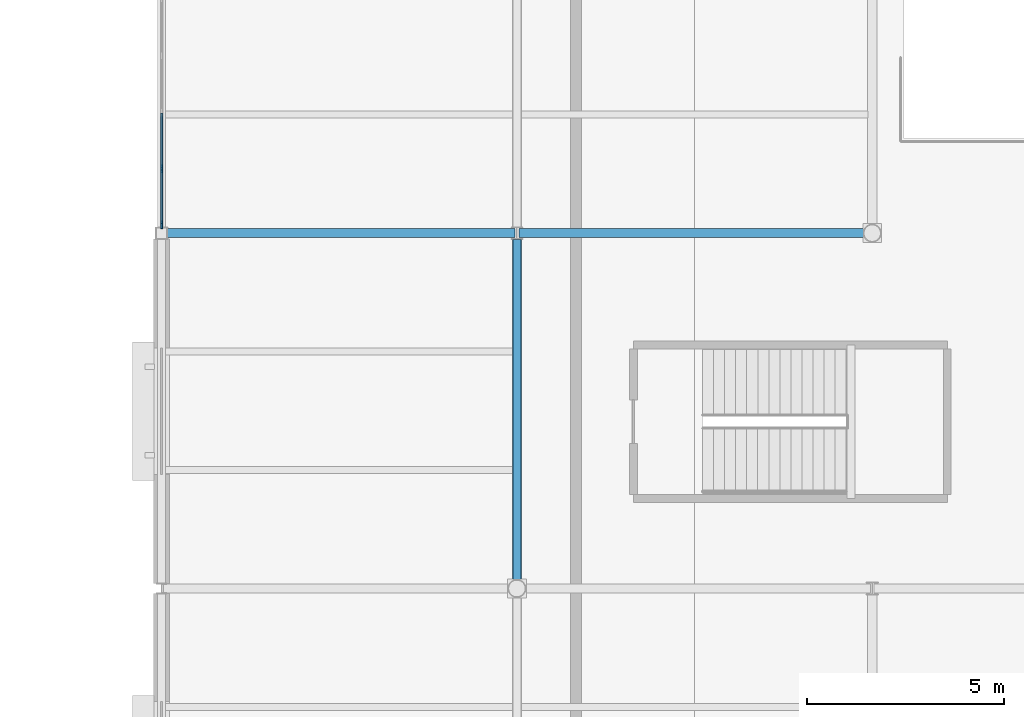
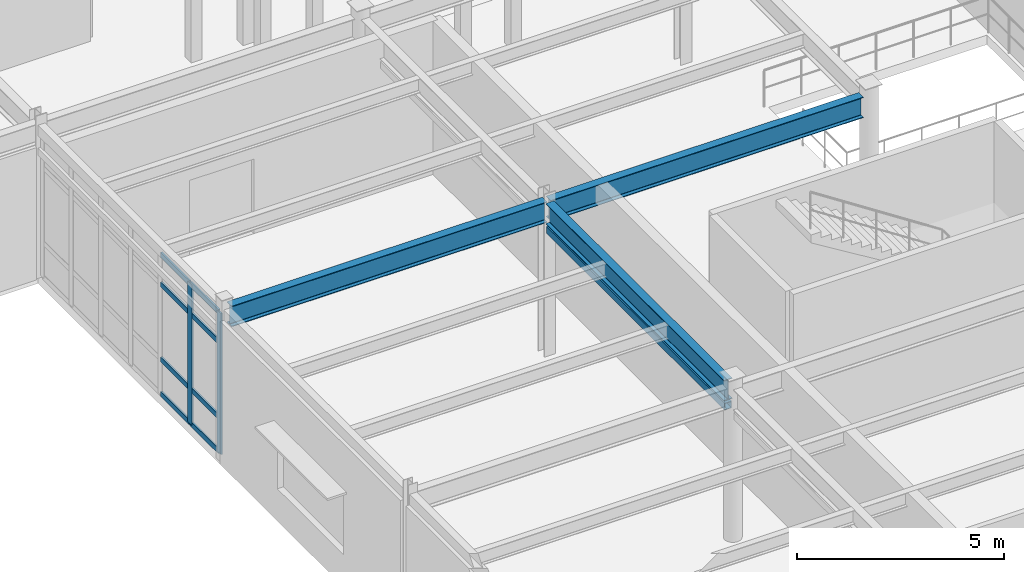
# One storey, part 31 of 86: 10 members, 4 beams, 1 element without a shape of its own.
"""IFC4 building model written with IfcOpenShell, lengths in metres."""

from ifc_helpers import new_model, si_unit, direction, frame, origin, origin_2d, place, context, subcontext, project, spatial, rectangle, hollow_rectangle, i_section, extrude, material, material_profile, profile_set, type_object, element, aggregate, save


model = new_model("IFC4")

# Units and contexts
model_context = context("Model", 3, precision=1e-05, world=origin(), true_north=direction((0.0, 1.0)))
body_context = subcontext(model_context, "Body", "Model", "MODEL_VIEW")
ifc_project = project(units=[si_unit("LENGTHUNIT", "METRE"), si_unit("AREAUNIT", "SQUARE_METRE"), si_unit("VOLUMEUNIT", "CUBIC_METRE"), si_unit("PLANEANGLEUNIT", "RADIAN"), si_unit("MASSUNIT", "GRAM", prefix="KILO")], contexts=[model_context])

# Site, building, storey
site_placement = place(None, origin())
site = spatial("IfcSite", under=ifc_project, at=site_placement, CompositionType="ELEMENT")
building_placement = place(site_placement, origin())
building = spatial("IfcBuilding", under=site, at=building_placement, Name="Glasvene Arena", CompositionType="ELEMENT")
storey_placement = place(building_placement, frame((0.0, 0.0, 5.39990234375)))
storey = spatial("IfcBuildingStorey", under=building, at=storey_placement, Name="L01", CompositionType="ELEMENT", Elevation=5.39990234375)

# Beams
ifc_material_1 = material(Name="Steel S355J2", Category="steel")
ifc_material_profile_1 = material_profile(ifc_material_1, i_section(OverallWidth=0.228271484375, OverallDepth=0.607666015625, WebThickness=0.010986328125, FlangeThickness=0.017333984375, FilletRadius=0.0126953125, at=origin_2d()), Name="UKB 610x229x113")
ifc_profile_set_1 = profile_set([ifc_material_profile_1], Name="Steel S355J2")
beam_type_1 = type_object("IfcBeamType", Name="BM-GIRD-610", PredefinedType="BEAM", material=ifc_profile_set_1)
beam_1_placement = place(storey_placement, frame((18.14501953125, 45.0, 4.21630859375), z_axis=(1.0, 0.0, 0.0), x_axis=(0.0, 1.0, 0.0)))
element("IfcBeam", 1, at=beam_1_placement, inside=storey, type_object=beam_type_1, Name="Primary X girder L01-0552", PredefinedType="BEAM", context=body_context, shape_type="SweptSolid", body=[
    extrude(i_section(OverallWidth=0.228271484375, OverallDepth=0.607666015625, WebThickness=0.010986328125, FlangeThickness=0.017333984375, FilletRadius=0.0126953125, at=origin_2d()), origin(), (0.0, 0.0, 1.0), 8.804931640625),
])
beam_2_placement = place(storey_placement, frame((27.050048828125, 45.0, 4.21630859375), z_axis=(1.0, 0.0, 0.0), x_axis=(0.0, 1.0, 0.0)))
element("IfcBeam", 2, at=beam_2_placement, inside=storey, type_object=beam_type_1, Name="Primary X girder L01-0553", PredefinedType="BEAM", context=body_context, shape_type="SweptSolid", body=[
    extrude(i_section(OverallWidth=0.228271484375, OverallDepth=0.607666015625, WebThickness=0.010986328125, FlangeThickness=0.017333984375, FilletRadius=0.0126953125, at=origin_2d()), origin(), (0.0, 0.0, 1.0), 8.7265625),
])
beam_3_placement = place(storey_placement, frame((27.0, 36.223388671875, 4.21630859375), z_axis=(0.0, 1.0, 0.0), x_axis=(-1.0, 0.0, 0.0)))
element("IfcBeam", 3, at=beam_3_placement, inside=storey, type_object=beam_type_1, Name="Primary Y girder L01-0630", PredefinedType="BEAM", context=body_context, shape_type="SweptSolid", body=[
    extrude(i_section(OverallWidth=0.228271484375, OverallDepth=0.607666015625, WebThickness=0.010986328125, FlangeThickness=0.017333984375, FilletRadius=0.0126953125, at=origin_2d()), origin(), (0.0, 0.0, 1.0), 8.621337890625),
])
ifc_material_profile_2 = material_profile(ifc_material_1, hollow_rectangle(XDim=0.199951171875, YDim=0.199951171875, WallThickness=0.010009765625, at=origin_2d()), Name="SHS 200x200x10.0")
ifc_profile_set_2 = profile_set([ifc_material_profile_2], Name="Steel S355J2")
beam_type_2 = type_object("IfcBeamType", Name="BM-LINTEL-200", PredefinedType="LINTEL", material=ifc_profile_set_2)
beam_4_placement = place(storey_placement, frame((27.0, 36.224609375, 3.739990234375), z_axis=(0.0, 1.0, 0.0), x_axis=(-1.0, 0.0, 0.0)))
element("IfcBeam", 4, at=beam_4_placement, inside=storey, type_object=beam_type_2, Name="Passage portal lintel L01-3-4", PredefinedType="LINTEL", context=body_context, shape_type="SweptSolid", body=[
    extrude(hollow_rectangle(XDim=0.199951171875, YDim=0.199951171875, WallThickness=0.010009765625, at=origin_2d()), origin(), (0.0, 0.0, 1.0), 8.619140625),
])

# Curtain wall, members
ifc_material_2 = material(Name="Low-emissivity laminated double glazing", Category="glass")
curtain_wall_type = type_object("IfcCurtainWallType", Name="CW-FAC-L01-861x416", PredefinedType="USERDEFINED", material=ifc_material_2)
curtain_wall_placement = place(storey_placement, frame((18.0, 45.19189453125, 0.0)))
curtain_wall = element("IfcCurtainWall", 5, at=curtain_wall_placement, inside=storey, type_object=curtain_wall_type, Name="Unitised curtain wall CW-F-L01-180-180-495-70", ObjectType="CURTAIN WALL", PredefinedType="USERDEFINED")
ifc_material_3 = material(Name="Anodised architectural aluminium", Category="aluminium")
ifc_material_profile_3 = material_profile(ifc_material_3, rectangle(XDim=0.050048828125, YDim=0.199951171875, at=origin_2d()), Name="ALU MULLION 50x200")
ifc_profile_set_3 = profile_set([ifc_material_profile_3], Name="Anodised architectural aluminium")
member_type_1 = type_object("IfcMemberType", Name="CW-MUL-180", PredefinedType="MULLION", material=ifc_profile_set_3)
member_1_placement = place(storey_placement, frame((18.0, 45.217041015625, 0.06005859375), z_axis=(0.0, 0.0, 1.0), x_axis=(-1.0, 0.0, 0.0)))
member_1 = element("IfcMember", 6, at=member_1_placement, type_object=member_type_1, Name="CW-018 mullion 1", PredefinedType="MULLION", context=body_context, shape_type="SweptSolid", body=[
    extrude(rectangle(XDim=0.050048828125, YDim=0.199951171875, at=origin_2d()), origin(), (0.0, 0.0, 1.0), 4.155029296875),
])
member_2_placement = place(storey_placement, frame((18.0, 46.626220703125, 0.06005859375), z_axis=(0.0, 0.0, 1.0), x_axis=(-1.0, 0.0, 0.0)))
member_2 = element("IfcMember", 7, at=member_2_placement, type_object=member_type_1, Name="CW-018 mullion 2", PredefinedType="MULLION", context=body_context, shape_type="SweptSolid", body=[
    extrude(rectangle(XDim=0.050048828125, YDim=0.199951171875, at=origin_2d()), origin(), (0.0, 0.0, 1.0), 4.155029296875),
])
ifc_material_profile_4 = material_profile(ifc_material_3, rectangle(XDim=0.050048828125, YDim=0.14990234375, at=origin_2d()), Name="ALU TRANSOM 50x150")
ifc_profile_set_4 = profile_set([ifc_material_profile_4], Name="Anodised architectural aluminium")
member_type_2 = type_object("IfcMemberType", Name="CW-TRN-150", PredefinedType="USERDEFINED", material=ifc_profile_set_4)
member_3_placement = place(storey_placement, frame((18.0, 45.241943359375, 0.085205078125), z_axis=(0.0, 1.0, 0.0), x_axis=(-1.0, 0.0, 0.0)))
member_3 = element("IfcMember", 8, at=member_3_placement, type_object=member_type_2, Name="CW-018 transom 1.1", ObjectType="TRANSOM", PredefinedType="USERDEFINED", context=body_context, shape_type="SweptSolid", body=[
    extrude(rectangle(XDim=0.050048828125, YDim=0.14990234375, at=origin_2d()), origin(), (0.0, 0.0, 1.0), 1.359375),
])
member_4_placement = place(storey_placement, frame((18.0, 45.241943359375, 1.10009765625), z_axis=(0.0, 1.0, 0.0), x_axis=(-1.0, 0.0, 0.0)))
member_4 = element("IfcMember", 9, at=member_4_placement, type_object=member_type_2, Name="CW-018 transom 1.2", ObjectType="TRANSOM", PredefinedType="USERDEFINED", context=body_context, shape_type="SweptSolid", body=[
    extrude(rectangle(XDim=0.050048828125, YDim=0.14990234375, at=origin_2d()), origin(), (0.0, 0.0, 1.0), 1.359375),
])
member_5_placement = place(storey_placement, frame((18.0, 45.241943359375, 3.315185546875), z_axis=(0.0, 1.0, 0.0), x_axis=(-1.0, 0.0, 0.0)))
member_5 = element("IfcMember", 10, at=member_5_placement, type_object=member_type_2, Name="CW-018 transom 1.3", ObjectType="TRANSOM", PredefinedType="USERDEFINED", context=body_context, shape_type="SweptSolid", body=[
    extrude(rectangle(XDim=0.050048828125, YDim=0.14990234375, at=origin_2d()), origin(), (0.0, 0.0, 1.0), 1.359375),
])
member_6_placement = place(storey_placement, frame((18.0, 45.241943359375, 4.190185546875), z_axis=(0.0, 1.0, 0.0), x_axis=(-1.0, 0.0, 0.0)))
member_6 = element("IfcMember", 11, at=member_6_placement, type_object=member_type_2, Name="CW-018 transom 1.4", ObjectType="TRANSOM", PredefinedType="USERDEFINED", context=body_context, shape_type="SweptSolid", body=[
    extrude(rectangle(XDim=0.050048828125, YDim=0.14990234375, at=origin_2d()), origin(), (0.0, 0.0, 1.0), 1.359375),
])
member_7_placement = place(storey_placement, frame((18.0, 46.6513671875, 0.085205078125), z_axis=(0.0, 1.0, 0.0), x_axis=(-1.0, 0.0, 0.0)))
member_7 = element("IfcMember", 12, at=member_7_placement, type_object=member_type_2, Name="CW-018 transom 2.1", ObjectType="TRANSOM", PredefinedType="USERDEFINED", context=body_context, shape_type="SweptSolid", body=[
    extrude(rectangle(XDim=0.050048828125, YDim=0.14990234375, at=origin_2d()), origin(), (0.0, 0.0, 1.0), 1.38427734375),
])
member_8_placement = place(storey_placement, frame((18.0, 46.6513671875, 1.10009765625), z_axis=(0.0, 1.0, 0.0), x_axis=(-1.0, 0.0, 0.0)))
member_8 = element("IfcMember", 13, at=member_8_placement, type_object=member_type_2, Name="CW-018 transom 2.2", ObjectType="TRANSOM", PredefinedType="USERDEFINED", context=body_context, shape_type="SweptSolid", body=[
    extrude(rectangle(XDim=0.050048828125, YDim=0.14990234375, at=origin_2d()), origin(), (0.0, 0.0, 1.0), 1.38427734375),
])
member_9_placement = place(storey_placement, frame((18.0, 46.6513671875, 3.315185546875), z_axis=(0.0, 1.0, 0.0), x_axis=(-1.0, 0.0, 0.0)))
member_9 = element("IfcMember", 14, at=member_9_placement, type_object=member_type_2, Name="CW-018 transom 2.3", ObjectType="TRANSOM", PredefinedType="USERDEFINED", context=body_context, shape_type="SweptSolid", body=[
    extrude(rectangle(XDim=0.050048828125, YDim=0.14990234375, at=origin_2d()), origin(), (0.0, 0.0, 1.0), 1.38427734375),
])
member_10_placement = place(storey_placement, frame((18.0, 46.6513671875, 4.190185546875), z_axis=(0.0, 1.0, 0.0), x_axis=(-1.0, 0.0, 0.0)))
member_10 = element("IfcMember", 15, at=member_10_placement, type_object=member_type_2, Name="CW-018 transom 2.4", ObjectType="TRANSOM", PredefinedType="USERDEFINED", context=body_context, shape_type="SweptSolid", body=[
    extrude(rectangle(XDim=0.050048828125, YDim=0.14990234375, at=origin_2d()), origin(), (0.0, 0.0, 1.0), 1.38427734375),
])
aggregate(curtain_wall, [member_1, member_2, member_3, member_4, member_5, member_6, member_7, member_8, member_9, member_10])

save(model, "model.ifc")
